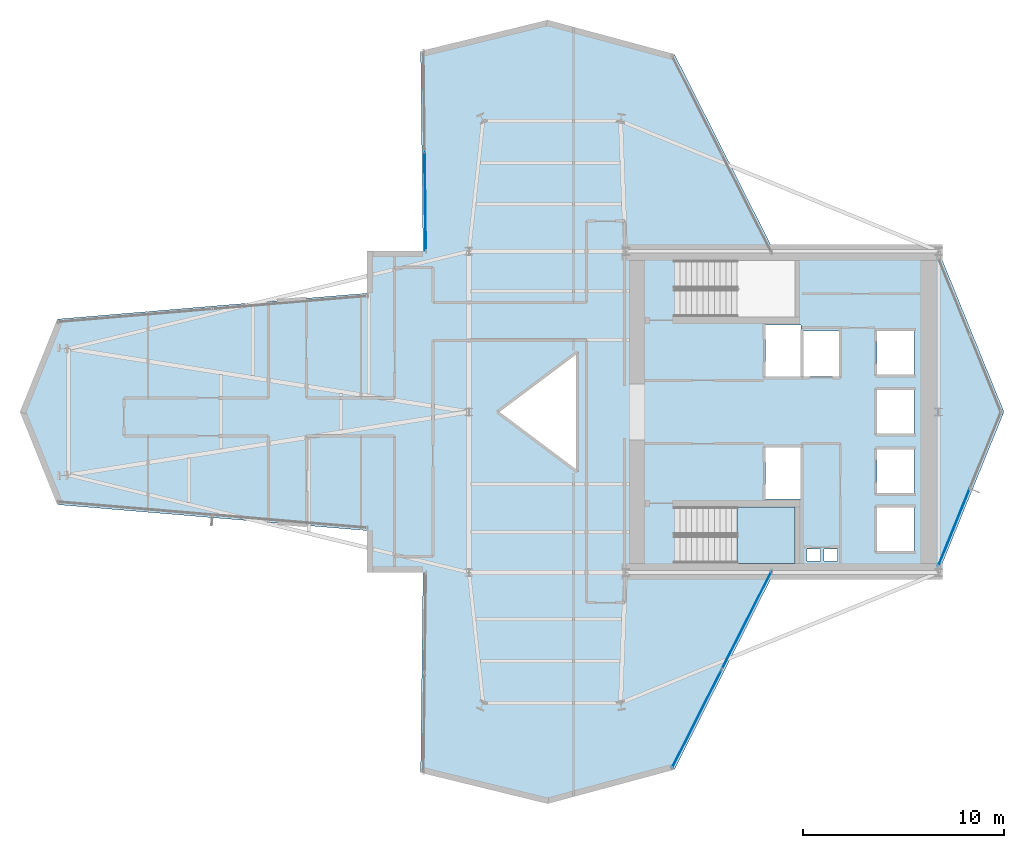
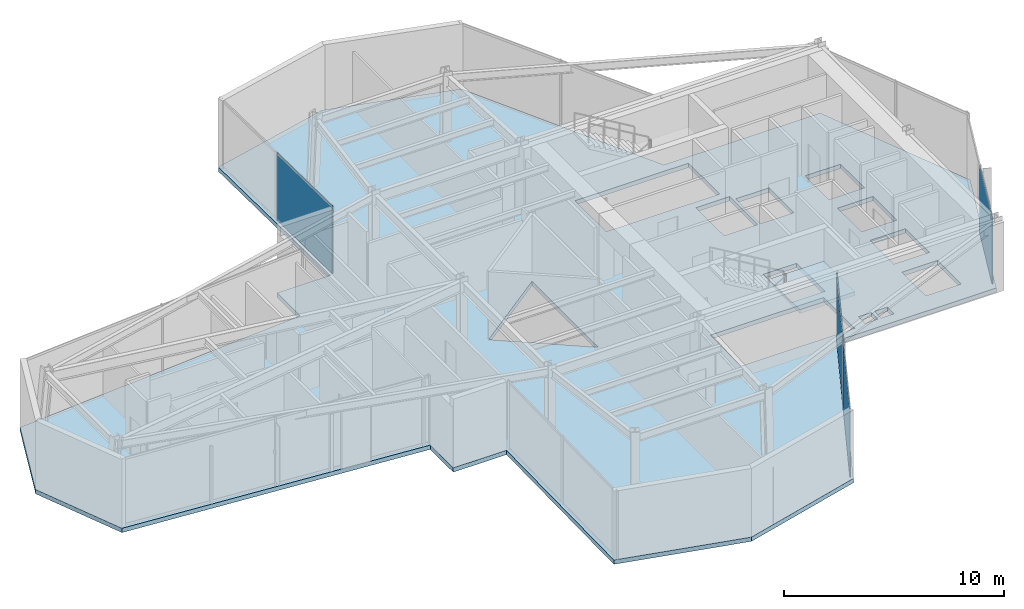
# One storey, part 20 of 25: 4 plates, 2 slabs, 4 elements without a shape of their own.
"""IFC4 building model written with IfcOpenShell, lengths in metres."""

from ifc_helpers import new_model, si_unit, direction, frame, origin, origin_2d, place, context, subcontext, project, spatial, polyline, rectangle, outline, extrude, material, layer, layer_set, type_object, element, aggregate, save


model = new_model("IFC4")

# Units and contexts
model_context = context("Model", 3, precision=1e-05, world=origin(), true_north=direction((0.0, 1.0)))
body_context = subcontext(model_context, "Body", "Model", "MODEL_VIEW")
ifc_project = project(units=[si_unit("LENGTHUNIT", "METRE"), si_unit("AREAUNIT", "SQUARE_METRE"), si_unit("VOLUMEUNIT", "CUBIC_METRE"), si_unit("PLANEANGLEUNIT", "RADIAN"), si_unit("MASSUNIT", "GRAM", prefix="KILO")], contexts=[model_context])

# Site, building, storey
site_placement = place(None, origin())
site = spatial("IfcSite", under=ifc_project, at=site_placement, CompositionType="ELEMENT")
building_placement = place(site_placement, origin())
building = spatial("IfcBuilding", under=site, at=building_placement, Name="Veymaron Broadcast Tower", CompositionType="ELEMENT")
storey_placement = place(building_placement, frame((0.0, 0.0, 137.10009765625)))
storey = spatial("IfcBuildingStorey", under=building, at=storey_placement, Name="L31", CompositionType="ELEMENT", Elevation=137.10009765625)

# Curtain wall, plate
ifc_material_1 = material(Name="Anodised aluminium AA 6063-T6 and laminated low-E dark glass", Category="aluminium")
ifc_layer_1 = layer(ifc_material_1, 0.179931640625)
ifc_layer_set_1 = layer_set([ifc_layer_1], Name="Anodised aluminium AA 6063-T6 and laminated low-E dark glass")
curtain_wall_type = type_object("IfcCurtainWallType", Name="CW-SYS-03", PredefinedType="NOTDEFINED", material=ifc_layer_set_1)
curtain_wall_1_placement = place(storey_placement, origin())
curtain_wall_1 = element("IfcCurtainWall", 1, at=curtain_wall_1_placement, inside=storey, type_object=curtain_wall_type, Name="L31 dark-glass curtain wall CW-L31-E2-1", PredefinedType="NOTDEFINED")
ifc_material_2 = material(Name="Insulated dark-anodised aluminium spandrel panel 40 mm", Category="aluminium")
ifc_layer_2 = layer(ifc_material_2, 0.0400390625)
ifc_layer_set_2 = layer_set([ifc_layer_2], Name="Insulated dark-anodised aluminium spandrel panel 40 mm")
plate_type = type_object("IfcPlateType", Name="CW-PNL-03", PredefinedType="CURTAIN_PANEL", material=ifc_layer_set_2)
plate_1_placement = place(storey_placement, frame((55.361083984375, 18.241943359375, 0.039794921875), z_axis=(0.0, 0.0, 1.0), x_axis=(0.376871010412, 0.926265751019, 0.0)))
plate_1 = element("IfcPlate", 2, at=plate_1_placement, type_object=plate_type, Name="CW-L31-E2-1 unitised curtain panel 0", PredefinedType="CURTAIN_PANEL", context=body_context, shape_type="SweptSolid", body=[
    extrude(rectangle(XDim=4.122314453125, YDim=0.0400390625, at=origin_2d()), origin(), (0.0, 0.0, 1.0), 3.72998046875),
])
aggregate(curtain_wall_1, [plate_1])

curtain_wall_2_placement = place(storey_placement, origin())
curtain_wall_2 = element("IfcCurtainWall", 3, at=curtain_wall_2_placement, inside=storey, type_object=curtain_wall_type, Name="L31 dark-glass curtain wall CW-L31-E8-1", PredefinedType="NOTDEFINED")
plate_2_placement = place(storey_placement, frame((29.020263671875, 34.492919921875, 0.039794921875), z_axis=(0.0, 0.0, 1.0), x_axis=(0.012077384797, -0.999927065729, 0.0)))
plate_2 = element("IfcPlate", 4, at=plate_2_placement, type_object=plate_type, Name="CW-L31-E8-1 unitised curtain panel 1", PredefinedType="CURTAIN_PANEL", context=body_context, shape_type="SweptSolid", body=[
    extrude(rectangle(XDim=4.9228515625, YDim=0.0400390625, at=origin_2d()), origin(), (0.0, 0.0, 1.0), 3.72998046875),
])
aggregate(curtain_wall_2, [plate_2])

# Curtain wall, plates
curtain_wall_3_placement = place(storey_placement, origin())
curtain_wall_3 = element("IfcCurtainWall", 5, at=curtain_wall_3_placement, inside=storey, type_object=curtain_wall_type, Name="L31 dark-glass curtain wall CW-L31-E20-1", PredefinedType="NOTDEFINED")
plate_3_placement = place(storey_placement, frame((42.553955078125, 8.70556640625, 0.039794921875), z_axis=(0.0, 0.0, 1.0), x_axis=(0.450908697538, 0.892570079313, 0.0)))
plate_3 = element("IfcPlate", 6, at=plate_3_placement, type_object=plate_type, Name="CW-L31-E20-1 unitised curtain panel 0", PredefinedType="CURTAIN_PANEL", context=body_context, shape_type="SweptSolid", body=[
    extrude(rectangle(XDim=5.435302734375, YDim=0.0400390625, at=origin_2d()), origin(), (0.0, 0.0, 1.0), 3.72998046875),
])
plate_4_placement = place(storey_placement, frame((45.031982421875, 13.610595703125, 0.039794921875), z_axis=(0.0, 0.0, 1.0), x_axis=(0.450908697538, 0.892570079313, 0.0)))
plate_4 = element("IfcPlate", 7, at=plate_4_placement, type_object=plate_type, Name="CW-L31-E20-1 unitised curtain panel 1", PredefinedType="CURTAIN_PANEL", context=body_context, shape_type="SweptSolid", body=[
    extrude(rectangle(XDim=5.435302734375, YDim=0.0400390625, at=origin_2d()), origin(), (0.0, 0.0, 1.0), 3.72998046875),
])
aggregate(curtain_wall_3, [plate_3, plate_4])

# Slab
ifc_material_3 = material(Name="Concrete C40/50", Category="concrete")
ifc_layer_3 = layer(ifc_material_3, 0.239990234375)
ifc_layer_set_3 = layer_set([ifc_layer_3], Name="Concrete C40/50")
slab_type_1 = type_object("IfcSlabType", Name="SLAB-FS6", PredefinedType="FLOOR", material=ifc_layer_set_3)
slab_1_placement = place(storey_placement, frame((0.0, 0.0, -0.239990234375)))
element("IfcSlab", 8, at=slab_1_placement, inside=storey, type_object=slab_type_1, Name="L31 structural floor slab", PredefinedType="FLOOR", context=body_context, shape_type="SweptSolid", body=[
    extrude(outline(polyline([(46.39599609375, 16.0), (54.60009765625, 16.0), (57.85498046875, 24.0), (54.60009765625, 32.0), (46.39599609375, 32.0), (41.43994140625, 41.81005859375), (35.114990234375, 43.514892578125), (28.7900390625, 41.965087890625), (28.910400390625, 32.0), (26.1201171875, 32.0), (26.1201171875, 29.914306640625), (10.699951171875, 28.6220703125), (8.840087890625, 24.0), (10.699951171875, 19.3779296875), (26.1201171875, 18.085693359375), (26.1201171875, 16.0), (28.910400390625, 16.0), (28.7900390625, 6.034912109375), (35.114990234375, 4.485107421875), (41.43994140625, 6.18994140625), (46.39599609375, 16.0)]), holes=[polyline([(45.969970703125, 28.330078125), (47.72998046875, 28.330078125), (47.72998046875, 25.77001953125), (45.969970703125, 25.77001953125), (45.969970703125, 28.330078125)]), polyline([(45.969970703125, 22.22998046875), (47.72998046875, 22.22998046875), (47.72998046875, 19.669921875), (45.969970703125, 19.669921875), (45.969970703125, 22.22998046875)]), polyline([(47.8701171875, 28.030029296875), (49.6298828125, 28.030029296875), (49.6298828125, 25.77001953125), (47.8701171875, 25.77001953125), (47.8701171875, 28.030029296875)]), polyline([(51.52001953125, 28.030029296875), (53.3798828125, 28.030029296875), (53.3798828125, 25.8701171875), (51.52001953125, 25.8701171875), (51.52001953125, 28.030029296875)]), polyline([(51.52001953125, 22.1298828125), (53.3798828125, 22.1298828125), (53.3798828125, 19.969970703125), (51.52001953125, 19.969970703125), (51.52001953125, 22.1298828125)]), polyline([(51.52001953125, 25.080078125), (53.3798828125, 25.080078125), (53.3798828125, 22.919921875), (51.52001953125, 22.919921875), (51.52001953125, 25.080078125)]), polyline([(51.52001953125, 19.22998046875), (53.3798828125, 19.22998046875), (53.3798828125, 17.070068359375), (51.52001953125, 17.070068359375), (51.52001953125, 19.22998046875)]), polyline([(48.050048828125, 17.159912109375), (48.719970703125, 17.159912109375), (48.719970703125, 16.56005859375), (48.050048828125, 16.56005859375), (48.050048828125, 17.159912109375)]), polyline([(48.8798828125, 17.159912109375), (49.550048828125, 17.159912109375), (49.550048828125, 16.56005859375), (48.8798828125, 16.56005859375), (48.8798828125, 17.159912109375)]), polyline([(36.60009765625, 27.0), (36.60009765625, 21.0), (32.60009765625, 24.0), (36.60009765625, 27.0)]), polyline([(41.489990234375, 31.550048828125), (47.43994140625, 31.550048828125), (47.43994140625, 28.72998046875), (41.489990234375, 28.72998046875), (41.489990234375, 31.550048828125)]), polyline([(41.489990234375, 19.27001953125), (47.43994140625, 19.27001953125), (47.43994140625, 16.449951171875), (41.489990234375, 16.449951171875), (41.489990234375, 19.27001953125)])]), origin(), (0.0, 0.0, 1.0), 0.239990234375),
])

# Stair, slab
ifc_material_4 = material(Name="Concrete C50/60", Category="concrete")
stair_type = type_object("IfcStairType", Name="STAIR-CORE-2", PredefinedType="HALF_TURN_STAIR", material=ifc_material_4)
stair_placement = place(storey_placement, origin())
stair = element("IfcStair", 9, at=stair_placement, inside=storey, type_object=stair_type, Name="L31 South protected dog-leg exit stair ST2", PredefinedType="HALF_TURN_STAIR")
ifc_layer_4 = layer(ifc_material_4, 0.199951171875)
ifc_layer_set_4 = layer_set([ifc_layer_4], Name="Concrete C50/60")
slab_type_2 = type_object("IfcSlabType", Name="SLAB-STAIR-LDG", PredefinedType="LANDING", material=ifc_layer_set_4)
slab_2_placement = place(storey_placement, frame((0.0, 0.0, 1.824951171875)))
slab_2 = element("IfcSlab", 10, at=slab_2_placement, type_object=slab_type_2, Name="ST2 landing 1", PredefinedType="LANDING", context=body_context, shape_type="SweptSolid", body=[
    extrude(outline(polyline([(44.56494140625, 16.449951171875), (47.43994140625, 16.449951171875), (47.43994140625, 19.27001953125), (44.56494140625, 19.27001953125), (44.56494140625, 16.449951171875)])), origin(), (0.0, 0.0, 1.0), 0.199951171875),
])
aggregate(stair, [slab_2])

save(model, "model.ifc")
